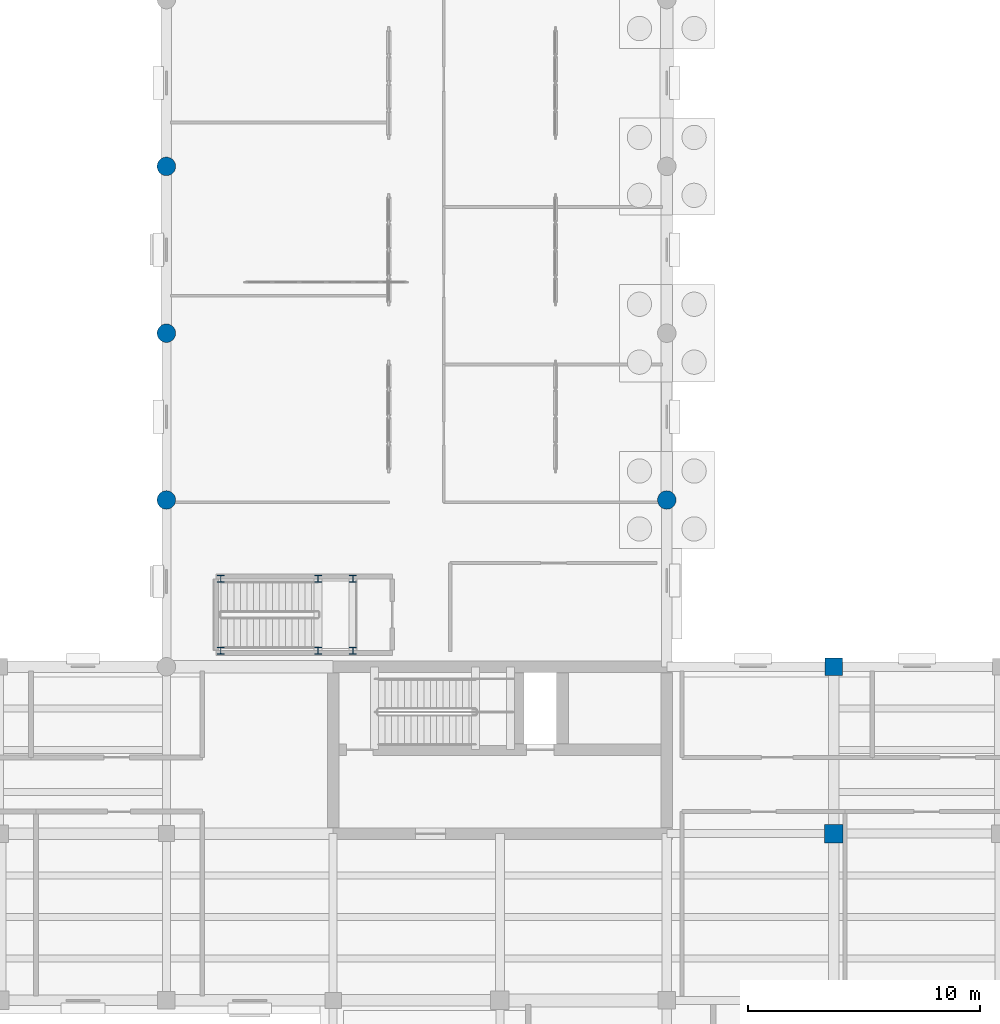
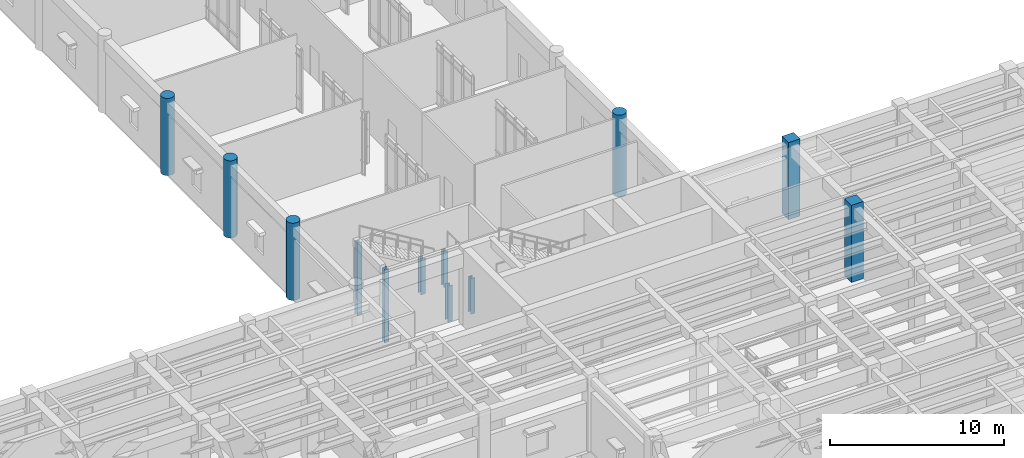
# One storey, part 5 of 100: 12 columns.
"""IFC4 building model written with IfcOpenShell, lengths in metres."""

from ifc_helpers import new_model, si_unit, direction, frame, origin, origin_2d, place, context, subcontext, project, spatial, rectangle, circle, i_section, extrude, material, material_profile, profile_set, type_object, element, save


model = new_model("IFC4")

# Units and contexts
model_context = context("Model", 3, precision=1e-05, world=origin(), true_north=direction((0.0, 1.0)))
body_context = subcontext(model_context, "Body", "Model", "MODEL_VIEW")
ifc_project = project(units=[si_unit("LENGTHUNIT", "METRE"), si_unit("AREAUNIT", "SQUARE_METRE"), si_unit("VOLUMEUNIT", "CUBIC_METRE"), si_unit("PLANEANGLEUNIT", "RADIAN"), si_unit("MASSUNIT", "GRAM", prefix="KILO")], contexts=[model_context])

# Site, building, storey
site_placement = place(None, origin())
site = spatial("IfcSite", under=ifc_project, at=site_placement, CompositionType="ELEMENT")
building_placement = place(site_placement, origin())
building = spatial("IfcBuilding", under=site, at=building_placement, Name="Mithqara Police Headquarters", CompositionType="ELEMENT")
storey_placement = place(building_placement, origin())
storey = spatial("IfcBuildingStorey", under=building, at=storey_placement, Name="L00", CompositionType="ELEMENT", Elevation=0.0)

# Columns
ifc_material_1 = material(Name="Steel S355JR", Category="steel")
ifc_material_profile_1 = material_profile(ifc_material_1, i_section(OverallWidth=0.300048828125, OverallDepth=0.300048828125, WebThickness=0.010986328125, FlangeThickness=0.01904296875, FilletRadius=0.027099609375, at=origin_2d()), Name="HEB 300")
ifc_profile_set_1 = profile_set([ifc_material_profile_1], Name="Steel S355JR")
column_type_1 = type_object("IfcColumnType", Name="COLUMN HEB300", PredefinedType="COLUMN", material=ifc_profile_set_1)
for number, where, z_axis, x_axis, name in (
    (1, (74.949951171875, 36.10009765625, 0.0), (0.0, 0.0, 1.0), (1.0, 0.0, 0.0), "L00 Hall Stair Support Column"),
    (2, (74.949951171875, 39.199951171875, 0.0), (0.0, 0.0, 1.0), (1.0, 0.0, 0.0), "L00 Hall Stair Support Column"),
):
    element("IfcColumn", number, at=place(storey_placement, frame(where, z_axis=z_axis, x_axis=x_axis)), inside=storey, type_object=column_type_1, Name=name, PredefinedType="COLUMN", context=body_context, shape_type="SweptSolid", body=[
        extrude(i_section(OverallWidth=0.300048828125, OverallDepth=0.300048828125, WebThickness=0.010986328125, FlangeThickness=0.01904296875, FilletRadius=0.027099609375, at=origin_2d()), origin(), (0.0, 0.0, 1.0), 5.1201171875),
    ])
for number, where, z_axis, x_axis, name in (
    (3, (79.14990234375, 36.10009765625, 0.0), (0.0, 0.0, 1.0), (1.0, 0.0, 0.0), "L00 Hall Stair Support Column"),
    (4, (79.14990234375, 39.199951171875, 0.0), (0.0, 0.0, 1.0), (1.0, 0.0, 0.0), "L00 Hall Stair Support Column"),
    (5, (80.64990234375, 36.10009765625, 0.0), (0.0, 0.0, 1.0), (1.0, 0.0, 0.0), "L00 Hall Stair Support Column"),
    (6, (80.64990234375, 39.199951171875, 0.0), (0.0, 0.0, 1.0), (1.0, 0.0, 0.0), "L00 Hall Stair Support Column"),
):
    element("IfcColumn", number, at=place(storey_placement, frame(where, z_axis=z_axis, x_axis=x_axis)), inside=storey, type_object=column_type_1, Name=name, PredefinedType="COLUMN", context=body_context, shape_type="SweptSolid", body=[
        extrude(i_section(OverallWidth=0.300048828125, OverallDepth=0.300048828125, WebThickness=0.010986328125, FlangeThickness=0.01904296875, FilletRadius=0.027099609375, at=origin_2d()), origin(), (0.0, 0.0, 1.0), 2.5),
    ])
ifc_material_2 = material(Name="Concrete C50/60", Category="concrete")
ifc_material_profile_2 = material_profile(ifc_material_2, rectangle(XDim=0.75, YDim=0.75, at=origin_2d()), Name="RC 750x750")
ifc_profile_set_2 = profile_set([ifc_material_profile_2], Name="Concrete C50/60")
column_type_2 = type_object("IfcColumnType", Name="COLUMN RC750", PredefinedType="COLUMN", material=ifc_profile_set_2)
column_1_placement = place(storey_placement, frame((101.39990234375, 35.39990234375, 0.0), z_axis=(0.0, 0.0, 1.0), x_axis=(1.0, 0.0, 0.0)))
element("IfcColumn", 7, at=column_1_placement, inside=storey, type_object=column_type_2, Name="L00 Column 15/F", PredefinedType="COLUMN", context=body_context, shape_type="SweptSolid", body=[
    extrude(rectangle(XDim=0.75, YDim=0.75, at=origin_2d()), origin(), (0.0, 0.0, 1.0), 5.39990234375),
])
ifc_material_profile_3 = material_profile(ifc_material_2, rectangle(XDim=0.800048828125, YDim=0.800048828125, at=origin_2d()), Name="RC 800x800")
ifc_profile_set_3 = profile_set([ifc_material_profile_3], Name="Concrete C50/60")
column_type_3 = type_object("IfcColumnType", Name="COLUMN RC800", PredefinedType="COLUMN", material=ifc_profile_set_3)
column_2_placement = place(storey_placement, frame((101.39990234375, 28.199951171875, 0.0), z_axis=(0.0, 0.0, 1.0), x_axis=(1.0, 0.0, 0.0)))
element("IfcColumn", 8, at=column_2_placement, inside=storey, type_object=column_type_3, Name="L00 Column 15/E", PredefinedType="COLUMN", context=body_context, shape_type="SweptSolid", body=[
    extrude(rectangle(XDim=0.800048828125, YDim=0.800048828125, at=origin_2d()), origin(), (0.0, 0.0, 1.0), 5.39990234375),
])
ifc_material_profile_4 = material_profile(ifc_material_2, circle(Radius=0.39990234375, at=origin_2d()), Name="RCD 800")
ifc_profile_set_4 = profile_set([ifc_material_profile_4], Name="Concrete C50/60")
column_type_4 = type_object("IfcColumnType", Name="COLUMN RCD800", PredefinedType="COLUMN", material=ifc_profile_set_4)
for number, where, z_axis, x_axis, name in (
    (9, (72.60009765625, 42.60009765625, 0.0), (0.0, 0.0, 1.0), (1.0, 0.0, 0.0), "L00 Column 11/G"),
    (10, (72.60009765625, 49.800048828125, 0.0), (0.0, 0.0, 1.0), (1.0, 0.0, 0.0), "L00 Column 11/H"),
    (11, (72.60009765625, 57.0, 0.0), (0.0, 0.0, 1.0), (1.0, 0.0, 0.0), "L00 Column 11/J"),
):
    element("IfcColumn", number, at=place(storey_placement, frame(where, z_axis=z_axis, x_axis=x_axis)), inside=storey, type_object=column_type_4, Name=name, PredefinedType="COLUMN", context=body_context, shape_type="SweptSolid", body=[
        extrude(circle(Radius=0.39990234375, at=origin_2d()), origin(), (0.0, 0.0, 1.0), 5.39990234375),
    ])
column_3_placement = place(storey_placement, frame((94.199951171875, 42.60009765625, -0.320068359375), z_axis=(0.0, 0.0, 1.0), x_axis=(1.0, 0.0, 0.0)))
element("IfcColumn", 12, at=column_3_placement, inside=storey, type_object=column_type_4, Name="L00 Column 14/G", PredefinedType="COLUMN", context=body_context, shape_type="SweptSolid", body=[
    extrude(circle(Radius=0.39990234375, at=origin_2d()), origin(), (0.0, 0.0, 1.0), 5.719970703125),
])

save(model, "model.ifc")
